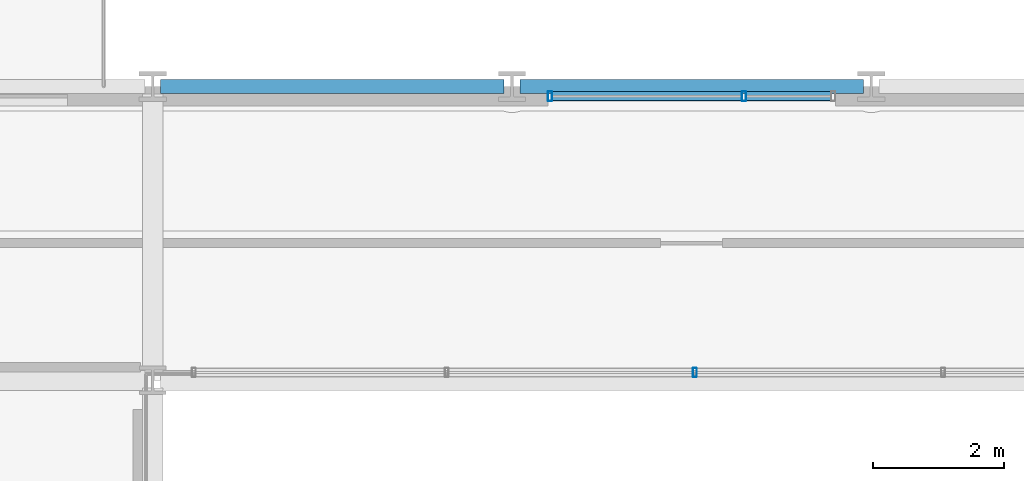
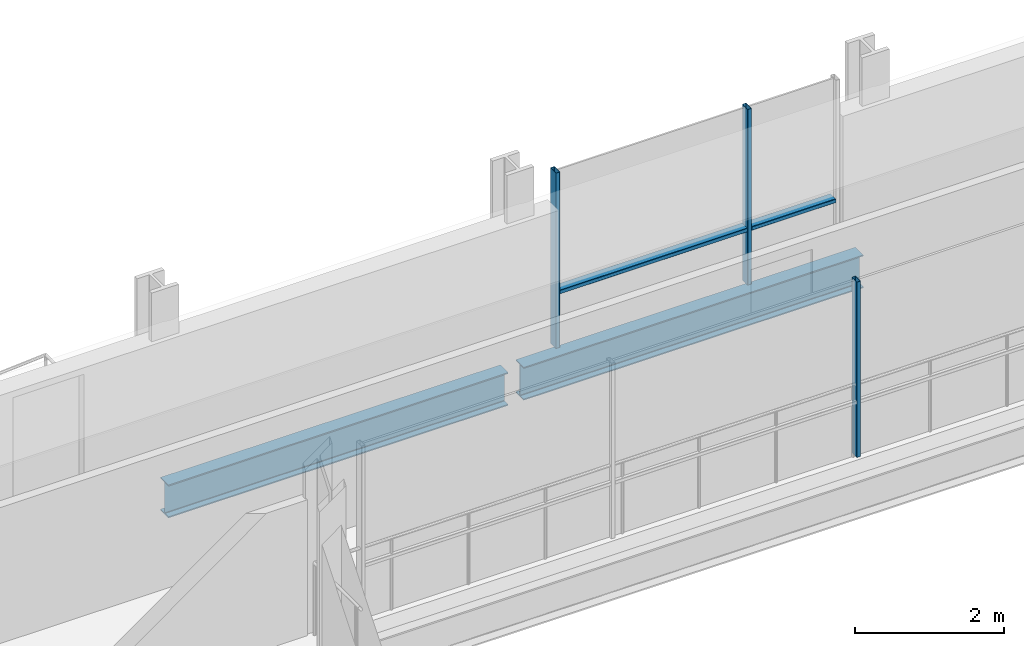
# One storey, part 11 of 38: 5 members, 2 beams, 2 elements without a shape of their own.
"""IFC4 building model written with IfcOpenShell, lengths in metres."""

from ifc_helpers import new_model, si_unit, direction, frame, origin, origin_2d, place, context, subcontext, project, spatial, hollow_rectangle, i_section, extrude, material, layer, layer_set, material_profile, profile_set, type_object, element, aggregate, save


model = new_model("IFC4")

# Units and contexts
model_context = context("Model", 3, precision=1e-05, world=origin(), true_north=direction((0.0, 1.0)))
body_context = subcontext(model_context, "Body", "Model", "MODEL_VIEW")
ifc_project = project(units=[si_unit("LENGTHUNIT", "METRE"), si_unit("AREAUNIT", "SQUARE_METRE"), si_unit("VOLUMEUNIT", "CUBIC_METRE"), si_unit("PLANEANGLEUNIT", "RADIAN"), si_unit("MASSUNIT", "GRAM", prefix="KILO")], contexts=[model_context])

# Site, building, storey
site_placement = place(None, origin())
site = spatial("IfcSite", under=ifc_project, at=site_placement, CompositionType="ELEMENT")
building_placement = place(site_placement, origin())
building = spatial("IfcBuilding", under=site, at=building_placement, Name="Brevholm Reach", CompositionType="ELEMENT")
storey_placement = place(building_placement, frame((0.0, 0.0, 65.199951171875)))
storey = spatial("IfcBuildingStorey", under=building, at=storey_placement, Name="L18", CompositionType="ELEMENT", Elevation=65.199951171875)

# Beams
ifc_material_1 = material(Name="Structural Steel S355J2", Category="steel")
ifc_material_profile_1 = material_profile(ifc_material_1, i_section(OverallWidth=0.210693359375, OverallDepth=0.53955078125, WebThickness=0.01171875, FlangeThickness=0.018798828125, FilletRadius=0.0126953125, at=origin_2d()), Name="UKB 533x210x109")
ifc_profile_set_1 = profile_set([ifc_material_profile_1], Name="Structural Steel S355J2")
beam_type = type_object("IfcBeamType", Name="BM-SP539", PredefinedType="SPANDREL", material=ifc_profile_set_1)
for number, where, z_axis, x_axis, name in (
    (1, (21.8701171875, 31.0, -0.499755859375), (1.0, 0.0, 0.0), (0.0, 1.0, 0.0), "L18 SP-01B Framing Beam"),
    (2, (27.3701171875, 31.0, -0.499755859375), (1.0, 0.0, 0.0), (0.0, 1.0, 0.0), "L18 SP-01B Framing Beam"),
):
    element("IfcBeam", number, at=place(storey_placement, frame(where, z_axis=z_axis, x_axis=x_axis)), inside=storey, type_object=beam_type, Name=name, PredefinedType="SPANDREL", context=body_context, shape_type="SweptSolid", body=[
        extrude(i_section(OverallWidth=0.210693359375, OverallDepth=0.53955078125, WebThickness=0.01171875, FlangeThickness=0.018798828125, FilletRadius=0.0126953125, at=origin_2d()), origin(), (0.0, 0.0, 1.0), 5.259765625),
    ])

# Curtain wall, member
ifc_material_2 = material(Name="Dark Anodised Aluminium 6063-T6 and Solar-Control Glass", Category="aluminium")
ifc_layer_1 = layer(ifc_material_2, 0.139892578125)
ifc_layer_set_1 = layer_set([ifc_layer_1], Name="Dark Anodised Aluminium 6063-T6 and Solar-Control Glass")
curtain_wall_type_1 = type_object("IfcCurtainWallType", Name="CW-02", PredefinedType="NOTDEFINED", material=ifc_layer_set_1)
curtain_wall_1_placement = place(storey_placement, origin())
curtain_wall_1 = element("IfcCurtainWall", 3, at=curtain_wall_1_placement, inside=storey, type_object=curtain_wall_type_1, Name="L18 Curtain Wall CW-02", PredefinedType="NOTDEFINED")
ifc_material_3 = material(Name="Dark Anodised Aluminium 6063-T6", Category="aluminium")
ifc_material_profile_2 = material_profile(ifc_material_3, hollow_rectangle(XDim=0.06005859375, YDim=0.139892578125, WallThickness=0.0048828125, InnerFilletRadius=0.0048828125, OuterFilletRadius=0.010009765625, at=origin_2d()), Name="RHS 140x60x5")
ifc_profile_set_2 = profile_set([ifc_material_profile_2], Name="Dark Anodised Aluminium 6063-T6")
member_type_1 = type_object("IfcMemberType", Name="CWM-140", PredefinedType="MULLION", material=ifc_profile_set_2)
member_1_placement = place(storey_placement, frame((30.050048828125, 26.6201171875, 0.0), z_axis=(0.0, 0.0, 1.0), x_axis=(-1.0, 0.0, 0.0)))
member_1 = element("IfcMember", 4, at=member_1_placement, type_object=member_type_1, Name="CM-140 Mullion 3", PredefinedType="MULLION", context=body_context, shape_type="SweptSolid", body=[
    extrude(hollow_rectangle(XDim=0.06005859375, YDim=0.139892578125, WallThickness=0.0048828125, InnerFilletRadius=0.0048828125, OuterFilletRadius=0.010009765625, at=origin_2d()), origin(), (0.0, 0.0, 1.0), 2.8701171875),
])
aggregate(curtain_wall_1, [member_1])

# Curtain wall, members
ifc_material_4 = material(Name="Dark Anodised Aluminium 6063-T6 and Solar-Control Glass", Category="aluminium")
ifc_layer_2 = layer(ifc_material_4, 0.14990234375)
ifc_layer_set_2 = layer_set([ifc_layer_2], Name="Dark Anodised Aluminium 6063-T6 and Solar-Control Glass")
curtain_wall_type_2 = type_object("IfcCurtainWallType", Name="CW-01", PredefinedType="NOTDEFINED", material=ifc_layer_set_2)
curtain_wall_2_placement = place(storey_placement, origin())
curtain_wall_2 = element("IfcCurtainWall", 5, at=curtain_wall_2_placement, inside=storey, type_object=curtain_wall_type_2, Name="L18 Curtain Wall CW-01", PredefinedType="NOTDEFINED")
ifc_material_5 = material(Name="Dark Anodised Aluminium 6063-T6", Category="aluminium")
ifc_material_profile_3 = material_profile(ifc_material_5, hollow_rectangle(XDim=0.06494140625, YDim=0.14990234375, WallThickness=0.0048828125, InnerFilletRadius=0.0048828125, OuterFilletRadius=0.010009765625, at=origin_2d()), Name="RHS 150x65x5")
ifc_profile_set_3 = profile_set([ifc_material_profile_3], Name="Dark Anodised Aluminium 6063-T6")
member_type_2 = type_object("IfcMemberType", Name="CWM-150", PredefinedType="MULLION", material=ifc_profile_set_3)
member_2_placement = place(storey_placement, frame((27.83251953125, 30.85009765625, 0.0), z_axis=(0.0, 0.0, 1.0), x_axis=(1.0, 0.0, 0.0)))
member_2 = element("IfcMember", 6, at=member_2_placement, type_object=member_type_2, Name="CM-150 Mullion 1", PredefinedType="MULLION", context=body_context, shape_type="SweptSolid", body=[
    extrude(hollow_rectangle(XDim=0.06494140625, YDim=0.14990234375, WallThickness=0.0048828125, InnerFilletRadius=0.0048828125, OuterFilletRadius=0.010009765625, at=origin_2d()), origin(), (0.0, 0.0, 1.0), 2.8701171875),
])
member_3_placement = place(storey_placement, frame((30.800048828125, 30.85009765625, 0.0), z_axis=(0.0, 0.0, 1.0), x_axis=(1.0, 0.0, 0.0)))
member_3 = element("IfcMember", 7, at=member_3_placement, type_object=member_type_2, Name="CM-150 Mullion 2", PredefinedType="MULLION", context=body_context, shape_type="SweptSolid", body=[
    extrude(hollow_rectangle(XDim=0.06494140625, YDim=0.14990234375, WallThickness=0.0048828125, InnerFilletRadius=0.0048828125, OuterFilletRadius=0.010009765625, at=origin_2d()), origin(), (0.0, 0.0, 1.0), 2.8701171875),
])
ifc_material_6 = material(Name="Dark Anodised Aluminium 6063-T6", Category="aluminium")
ifc_material_profile_4 = material_profile(ifc_material_6, hollow_rectangle(XDim=0.06494140625, YDim=0.14990234375, WallThickness=0.0048828125, InnerFilletRadius=0.0048828125, OuterFilletRadius=0.010009765625, at=origin_2d()), Name="RHS 150x65x5")
ifc_profile_set_4 = profile_set([ifc_material_profile_4], Name="Dark Anodised Aluminium 6063-T6")
member_type_3 = type_object("IfcMemberType", Name="CWT-150", PredefinedType="NOTDEFINED", material=ifc_profile_set_4)
member_4_placement = place(storey_placement, frame((27.864990234375, 30.85009765625, 0.900146484375), z_axis=(1.0, 0.0, 0.0), x_axis=(0.0, 0.0, 1.0)))
member_4 = element("IfcMember", 8, at=member_4_placement, type_object=member_type_3, Name="CT-150 Transom 1.1", ObjectType="TRANSOM", PredefinedType="USERDEFINED", context=body_context, shape_type="SweptSolid", body=[
    extrude(hollow_rectangle(XDim=0.06494140625, YDim=0.14990234375, WallThickness=0.0048828125, InnerFilletRadius=0.0048828125, OuterFilletRadius=0.010009765625, at=origin_2d()), origin(), (0.0, 0.0, 1.0), 2.902587890625),
])
member_5_placement = place(storey_placement, frame((30.83251953125, 30.85009765625, 0.900146484375), z_axis=(1.0, 0.0, 0.0), x_axis=(0.0, 0.0, 1.0)))
member_5 = element("IfcMember", 9, at=member_5_placement, type_object=member_type_3, Name="CT-150 Transom 2.1", ObjectType="TRANSOM", PredefinedType="USERDEFINED", context=body_context, shape_type="SweptSolid", body=[
    extrude(hollow_rectangle(XDim=0.06494140625, YDim=0.14990234375, WallThickness=0.0048828125, InnerFilletRadius=0.0048828125, OuterFilletRadius=0.010009765625, at=origin_2d()), origin(), (0.0, 0.0, 1.0), 1.302490234375),
])
aggregate(curtain_wall_2, [member_2, member_3, member_4, member_5])

save(model, "model.ifc")
